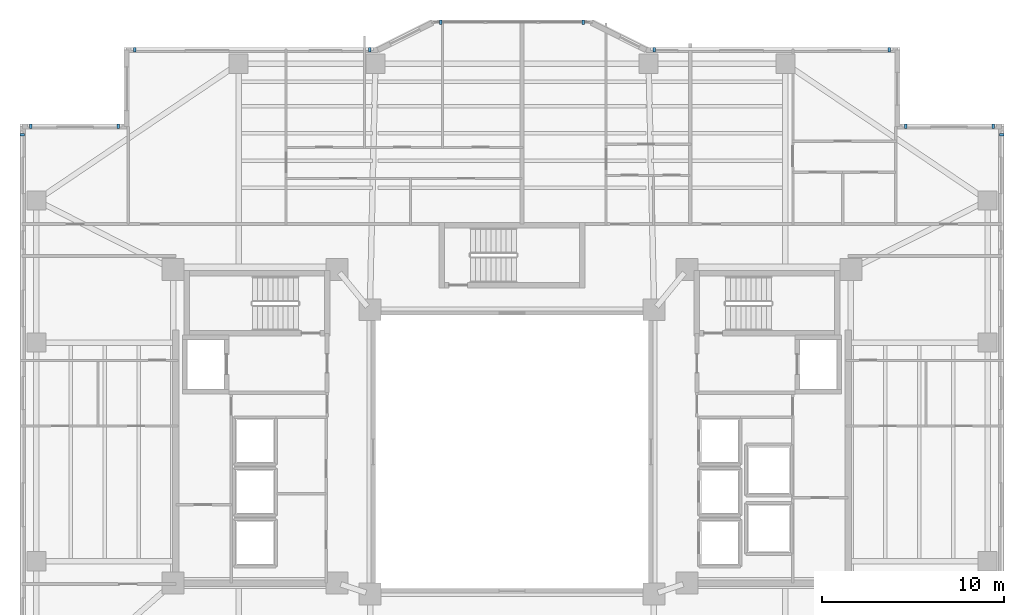
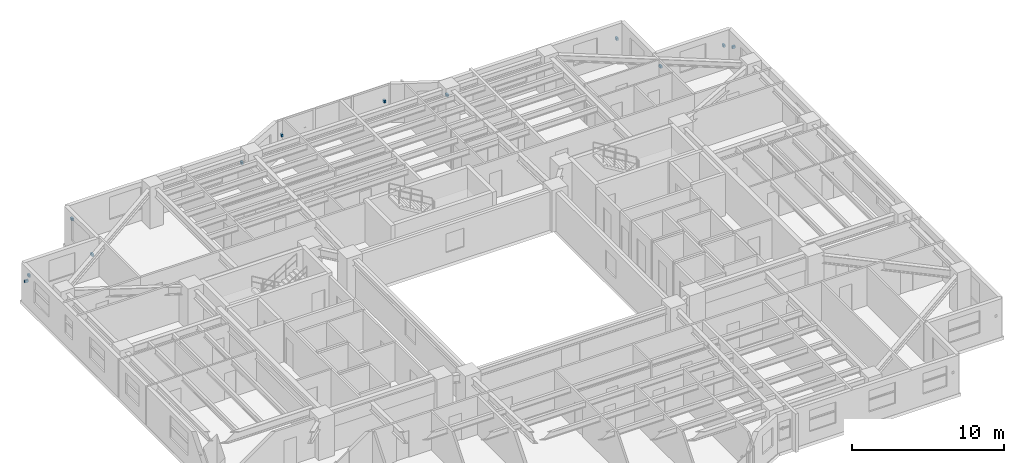
# One storey, part 13 of 18: 12 discrete accessories.
"""IFC4 building model written with IfcOpenShell, lengths in metres."""

from ifc_helpers import new_model, si_unit, direction, frame, origin, origin_2d, place, context, subcontext, project, spatial, rectangle, extrude, material, type_object, element, save


model = new_model("IFC4")

# Units and contexts
model_context = context("Model", 3, precision=1e-05, world=origin(), true_north=direction((0.0, 1.0)))
body_context = subcontext(model_context, "Body", "Model", "MODEL_VIEW")
ifc_project = project(units=[si_unit("LENGTHUNIT", "METRE"), si_unit("AREAUNIT", "SQUARE_METRE"), si_unit("VOLUMEUNIT", "CUBIC_METRE"), si_unit("PLANEANGLEUNIT", "RADIAN"), si_unit("MASSUNIT", "GRAM", prefix="KILO")], contexts=[model_context])

# Site, building, storey
site_placement = place(None, origin())
site = spatial("IfcSite", under=ifc_project, at=site_placement, CompositionType="ELEMENT")
building_placement = place(site_placement, origin())
building = spatial("IfcBuilding", under=site, at=building_placement, Name="Tarnavaz Court Tower", CompositionType="ELEMENT")
storey_placement = place(building_placement, frame((0.0, 0.0, 91.699951171875)))
storey = spatial("IfcBuildingStorey", under=building, at=storey_placement, Name="L24", CompositionType="ELEMENT", Elevation=91.699951171875)

# Discrete accessories
ifc_material = material(Name="Anodised Aluminium 6063-T6", Category="aluminium")
discrete_accessory_type = type_object("IfcDiscreteAccessoryType", Name="DA-BRKT-ALU", PredefinedType="BRACKET", material=ifc_material)
for number, where, z_axis, x_axis, name in (
    (1, (-26.8701171875, 17.39990234375, 1.75), (0.0, 0.0, 1.0), (0.0, 1.0, 0.0), "L24 Baguette Outrigger Bracket FBG02-2"),
    (2, (-26.39990234375, 17.8701171875, 1.75), (0.0, 0.0, 1.0), (1.0, 0.0, 0.0), "L24 Baguette Outrigger Bracket FBG03-1"),
    (3, (-21.60009765625, 17.8701171875, 1.75), (0.0, 0.0, 1.0), (1.0, 0.0, 0.0), "L24 Baguette Outrigger Bracket FBG03-2"),
    (4, (-20.699951171875, 22.070068359375, 1.75), (0.0, 0.0, 1.0), (1.0, 0.0, 0.0), "L24 Baguette Outrigger Bracket FBG05-1"),
    (5, (-7.800048828125, 22.070068359375, 1.75), (0.0, 0.0, 1.0), (1.0, 0.0, 0.0), "L24 Baguette Outrigger Bracket FBG05-2"),
    (6, (-3.89990234375, 23.570068359375, 1.7001953125), (0.0, 0.0, 1.0), (1.0, 0.0, 0.0), "L24 Baguette Outrigger Bracket PBG7-1"),
    (7, (3.89990234375, 23.570068359375, 1.7001953125), (0.0, 0.0, 1.0), (1.0, 0.0, 0.0), "L24 Baguette Outrigger Bracket PBG7-2"),
    (8, (7.800048828125, 22.070068359375, 1.75), (0.0, 0.0, 1.0), (1.0, 0.0, 0.0), "L24 Baguette Outrigger Bracket FBG09-1"),
    (9, (20.699951171875, 22.070068359375, 1.75), (0.0, 0.0, 1.0), (1.0, 0.0, 0.0), "L24 Baguette Outrigger Bracket FBG09-2"),
    (10, (21.60009765625, 17.8701171875, 1.75), (0.0, 0.0, 1.0), (1.0, 0.0, 0.0), "L24 Baguette Outrigger Bracket FBG11-1"),
    (11, (26.39990234375, 17.8701171875, 1.75), (0.0, 0.0, 1.0), (1.0, 0.0, 0.0), "L24 Baguette Outrigger Bracket FBG11-2"),
    (12, (26.8701171875, 17.39990234375, 1.75), (0.0, 0.0, 1.0), (0.0, -1.0, 0.0), "L24 Baguette Outrigger Bracket FBG12-1"),
):
    element("IfcDiscreteAccessory", number, at=place(storey_placement, frame(where, z_axis=z_axis, x_axis=x_axis)), inside=storey, type_object=discrete_accessory_type, Name=name, PredefinedType="BRACKET", context=body_context, shape_type="SweptSolid", body=[
        extrude(rectangle(XDim=0.139892578125, YDim=0.239990234375, at=origin_2d()), origin(), (0.0, 0.0, 1.0), 0.199951171875),
    ])

save(model, "model.ifc")
